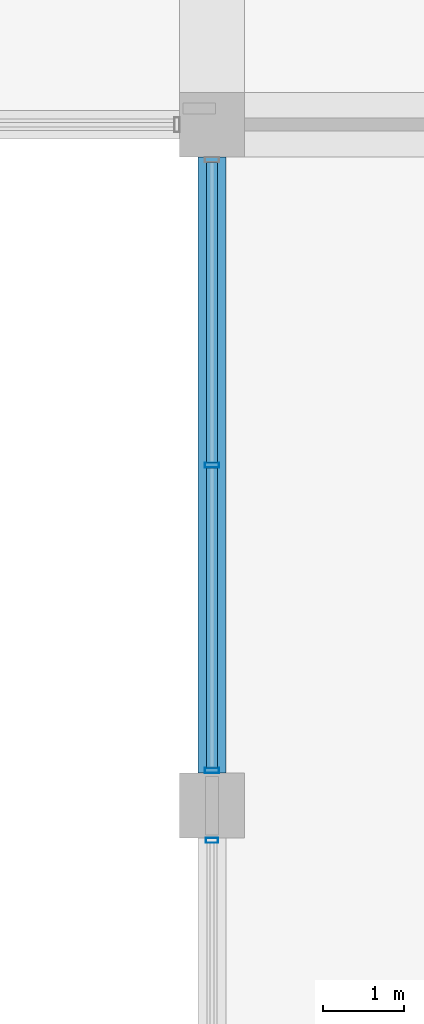
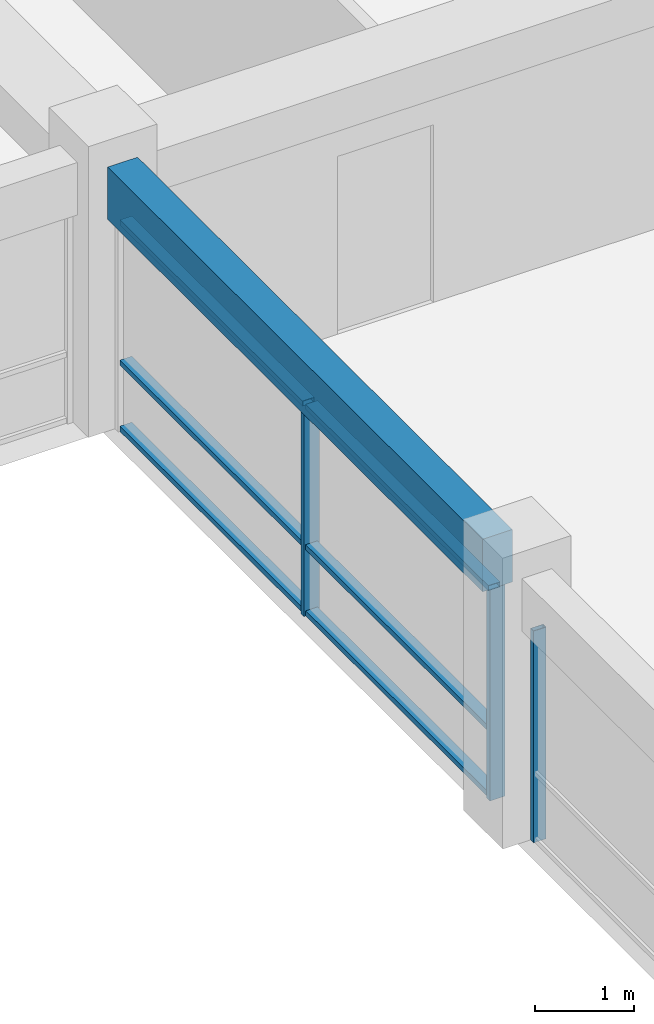
# One storey, part 16 of 50: 9 members, 1 beam, 2 elements without a shape of their own.
"""IFC4 building model written with IfcOpenShell, lengths in metres."""

from ifc_helpers import new_model, si_unit, direction, frame, origin, origin_2d, place, context, subcontext, project, spatial, rectangle, hollow_rectangle, extrude, material, material_profile, profile_set, type_object, element, aggregate, save


model = new_model("IFC4")

# Units and contexts
model_context = context("Model", 3, precision=1e-05, world=origin(), true_north=direction((0.0, 1.0)))
body_context = subcontext(model_context, "Body", "Model", "MODEL_VIEW")
ifc_project = project(units=[si_unit("LENGTHUNIT", "METRE"), si_unit("AREAUNIT", "SQUARE_METRE"), si_unit("VOLUMEUNIT", "CUBIC_METRE"), si_unit("PLANEANGLEUNIT", "RADIAN"), si_unit("MASSUNIT", "GRAM", prefix="KILO"), si_unit("THERMODYNAMICTEMPERATUREUNIT", "KELVIN"), si_unit("POWERUNIT", "WATT")], contexts=[model_context])

# Site, building, storey
site_placement = place(None, origin())
site = spatial("IfcSite", under=ifc_project, at=site_placement, CompositionType="ELEMENT")
building_placement = place(site_placement, origin())
building = spatial("IfcBuilding", under=site, at=building_placement, Name="Srebrne Nadtorze General Hospital", CompositionType="ELEMENT")
storey_placement = place(building_placement, frame((0.0, 0.0, 14.39990234375)))
storey = spatial("IfcBuildingStorey", under=building, at=storey_placement, Name="L03", CompositionType="ELEMENT", Elevation=14.39990234375)

# Curtain wall, member
ifc_material_1 = material(Name="Anodised Aluminium", Category="aluminium")
curtain_wall_type = type_object("IfcCurtainWallType", Name="Unitised curtain wall 7600x2620", PredefinedType="NOTDEFINED", material=ifc_material_1)
curtain_wall_1_placement = place(storey_placement, origin())
curtain_wall_1 = element("IfcCurtainWall", 1, at=curtain_wall_1_placement, inside=storey, type_object=curtain_wall_type, Name="Curtain wall CW-100", PredefinedType="NOTDEFINED")
ifc_material_2 = material(Name="Anodised Aluminium", Category="aluminium")
ifc_material_profile_1 = material_profile(ifc_material_2, hollow_rectangle(XDim=0.06005859375, YDim=0.14990234375, WallThickness=0.00390625, at=origin_2d()), Name="AL-MUL-60x150")
ifc_profile_set_1 = profile_set([ifc_material_profile_1], Name="Anodised Aluminium")
member_type_1 = type_object("IfcMemberType", Name="Curtain mullion 60x150", PredefinedType="MULLION", material=ifc_profile_set_1)
member_1_placement = place(storey_placement, frame((132.60009765625, 16.3701171875, 0.0), z_axis=(0.0, 0.0, 1.0), x_axis=(0.0, 1.0, 0.0)))
member_1 = element("IfcMember", 2, at=member_1_placement, type_object=member_type_1, Name="CW-100 mullion 3", PredefinedType="MULLION", context=body_context, shape_type="SweptSolid", body=[
    extrude(hollow_rectangle(XDim=0.06005859375, YDim=0.14990234375, WallThickness=0.00390625, at=origin_2d()), origin(), (0.0, 0.0, 1.0), 2.6201171875),
])
aggregate(curtain_wall_1, [member_1])

# Curtain wall, members
curtain_wall_2_placement = place(storey_placement, origin())
curtain_wall_2 = element("IfcCurtainWall", 3, at=curtain_wall_2_placement, inside=storey, type_object=curtain_wall_type, Name="Curtain wall CW-101", PredefinedType="NOTDEFINED")
ifc_material_3 = material(Name="Anodised Aluminium", Category="aluminium")
ifc_material_profile_2 = material_profile(ifc_material_3, hollow_rectangle(XDim=0.06494140625, YDim=0.179931640625, WallThickness=0.00390625, at=origin_2d()), Name="AL-MUL-65x180")
ifc_profile_set_2 = profile_set([ifc_material_profile_2], Name="Anodised Aluminium")
member_type_2 = type_object("IfcMemberType", Name="Curtain mullion 65x180", PredefinedType="MULLION", material=ifc_profile_set_2)
member_2_placement = place(storey_placement, frame((132.60009765625, 17.232421875, 0.0), z_axis=(0.0, 0.0, 1.0), x_axis=(0.0, 1.0, 0.0)))
member_2 = element("IfcMember", 4, at=member_2_placement, type_object=member_type_2, Name="CW-101 mullion 1", PredefinedType="MULLION", context=body_context, shape_type="SweptSolid", body=[
    extrude(hollow_rectangle(XDim=0.06494140625, YDim=0.179931640625, WallThickness=0.00390625, at=origin_2d()), origin(), (0.0, 0.0, 1.0), 2.6201171875),
])
member_3_placement = place(storey_placement, frame((132.60009765625, 21.0, 0.0), z_axis=(0.0, 0.0, 1.0), x_axis=(0.0, 1.0, 0.0)))
member_3 = element("IfcMember", 5, at=member_3_placement, type_object=member_type_2, Name="CW-101 mullion 2", PredefinedType="MULLION", context=body_context, shape_type="SweptSolid", body=[
    extrude(hollow_rectangle(XDim=0.06494140625, YDim=0.179931640625, WallThickness=0.00390625, at=origin_2d()), origin(), (0.0, 0.0, 1.0), 2.6201171875),
])
ifc_material_4 = material(Name="Anodised Aluminium", Category="aluminium")
ifc_material_profile_3 = material_profile(ifc_material_4, hollow_rectangle(XDim=0.06494140625, YDim=0.139892578125, WallThickness=0.00390625, at=origin_2d()), Name="AL-TRN-65x140")
ifc_profile_set_3 = profile_set([ifc_material_profile_3], Name="Anodised Aluminium")
member_type_3 = type_object("IfcMemberType", Name="Curtain transom 65x140", PredefinedType="USERDEFINED", material=ifc_profile_set_3)
member_4_placement = place(storey_placement, frame((132.60009765625, 17.264892578125, 0.03271484375), z_axis=(0.0, 1.0, 0.0), x_axis=(0.0, 0.0, 1.0)))
member_4 = element("IfcMember", 6, at=member_4_placement, type_object=member_type_3, Name="CW-101 transom 1.1", ObjectType="TRANSOM", PredefinedType="USERDEFINED", context=body_context, shape_type="SweptSolid", body=[
    extrude(hollow_rectangle(XDim=0.06494140625, YDim=0.139892578125, WallThickness=0.00390625, at=origin_2d()), origin(), (0.0, 0.0, 1.0), 3.70263671875),
])
member_5_placement = place(storey_placement, frame((132.60009765625, 17.264892578125, 0.85009765625), z_axis=(0.0, 1.0, 0.0), x_axis=(0.0, 0.0, 1.0)))
member_5 = element("IfcMember", 7, at=member_5_placement, type_object=member_type_3, Name="CW-101 transom 1.2", ObjectType="TRANSOM", PredefinedType="USERDEFINED", context=body_context, shape_type="SweptSolid", body=[
    extrude(hollow_rectangle(XDim=0.06494140625, YDim=0.139892578125, WallThickness=0.00390625, at=origin_2d()), origin(), (0.0, 0.0, 1.0), 3.70263671875),
])
member_6_placement = place(storey_placement, frame((132.60009765625, 17.264892578125, 2.587646484375), z_axis=(0.0, 1.0, 0.0), x_axis=(0.0, 0.0, 1.0)))
member_6 = element("IfcMember", 8, at=member_6_placement, type_object=member_type_3, Name="CW-101 transom 1.3", ObjectType="TRANSOM", PredefinedType="USERDEFINED", context=body_context, shape_type="SweptSolid", body=[
    extrude(hollow_rectangle(XDim=0.06494140625, YDim=0.139892578125, WallThickness=0.00390625, at=origin_2d()), origin(), (0.0, 0.0, 1.0), 3.70263671875),
])
member_7_placement = place(storey_placement, frame((132.60009765625, 21.032470703125, 0.03271484375), z_axis=(0.0, 1.0, 0.0), x_axis=(0.0, 0.0, 1.0)))
member_7 = element("IfcMember", 9, at=member_7_placement, type_object=member_type_3, Name="CW-101 transom 2.1", ObjectType="TRANSOM", PredefinedType="USERDEFINED", context=body_context, shape_type="SweptSolid", body=[
    extrude(hollow_rectangle(XDim=0.06494140625, YDim=0.139892578125, WallThickness=0.00390625, at=origin_2d()), origin(), (0.0, 0.0, 1.0), 3.70263671875),
])
member_8_placement = place(storey_placement, frame((132.60009765625, 21.032470703125, 0.85009765625), z_axis=(0.0, 1.0, 0.0), x_axis=(0.0, 0.0, 1.0)))
member_8 = element("IfcMember", 10, at=member_8_placement, type_object=member_type_3, Name="CW-101 transom 2.2", ObjectType="TRANSOM", PredefinedType="USERDEFINED", context=body_context, shape_type="SweptSolid", body=[
    extrude(hollow_rectangle(XDim=0.06494140625, YDim=0.139892578125, WallThickness=0.00390625, at=origin_2d()), origin(), (0.0, 0.0, 1.0), 3.70263671875),
])
member_9_placement = place(storey_placement, frame((132.60009765625, 21.032470703125, 2.587646484375), z_axis=(0.0, 1.0, 0.0), x_axis=(0.0, 0.0, 1.0)))
member_9 = element("IfcMember", 11, at=member_9_placement, type_object=member_type_3, Name="CW-101 transom 2.3", ObjectType="TRANSOM", PredefinedType="USERDEFINED", context=body_context, shape_type="SweptSolid", body=[
    extrude(hollow_rectangle(XDim=0.06494140625, YDim=0.139892578125, WallThickness=0.00390625, at=origin_2d()), origin(), (0.0, 0.0, 1.0), 3.70263671875),
])
aggregate(curtain_wall_2, [member_2, member_3, member_4, member_5, member_6, member_7, member_8, member_9])

# Beam
ifc_material_5 = material(Name="Concrete C35/45", Category="concrete")
ifc_material_profile_4 = material_profile(ifc_material_5, rectangle(XDim=0.35009765625, YDim=0.64990234375, at=origin_2d()), Name="RC-BM-350x650")
ifc_profile_set_4 = profile_set([ifc_material_profile_4], Name="Concrete C35/45")
beam_type = type_object("IfcBeamType", Name="Edge beam RC 350x650", PredefinedType="BEAM", material=ifc_profile_set_4)
beam_placement = place(storey_placement, frame((132.60009765625, 17.199951171875, 2.945068359375), z_axis=(0.0, 1.0, 0.0), x_axis=(-1.0, 0.0, 0.0)))
element("IfcBeam", 12, at=beam_placement, inside=storey, type_object=beam_type, Name="Beam BM-L03-Y-0839", PredefinedType="BEAM", context=body_context, shape_type="SweptSolid", body=[
    extrude(rectangle(XDim=0.35009765625, YDim=0.64990234375, at=origin_2d()), origin(), (0.0, 0.0, 1.0), 7.60009765625),
])

save(model, "model.ifc")
